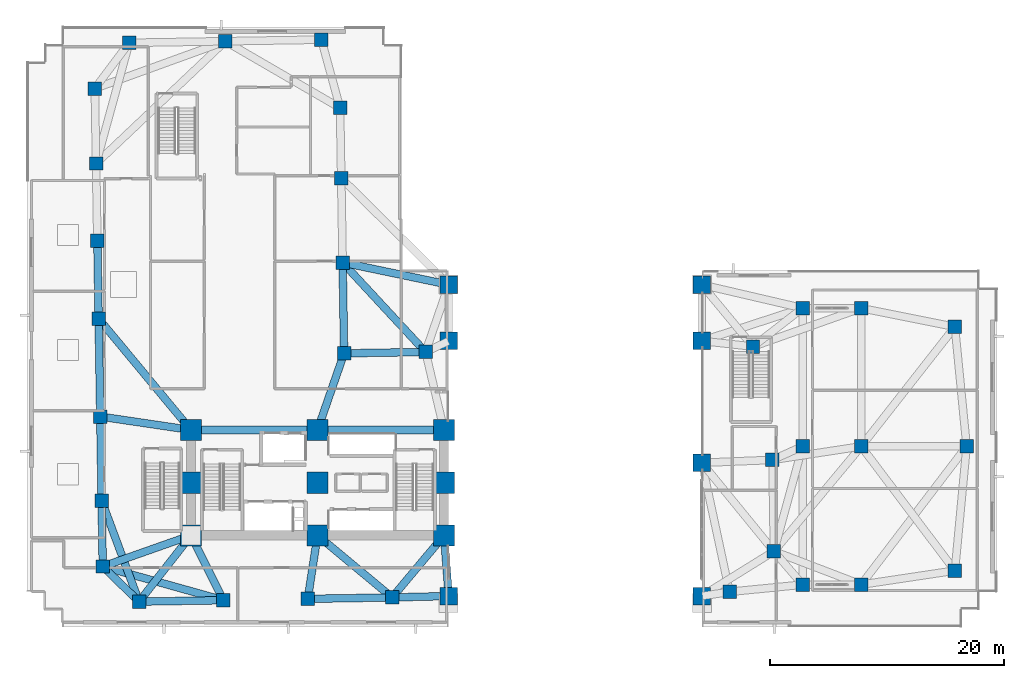
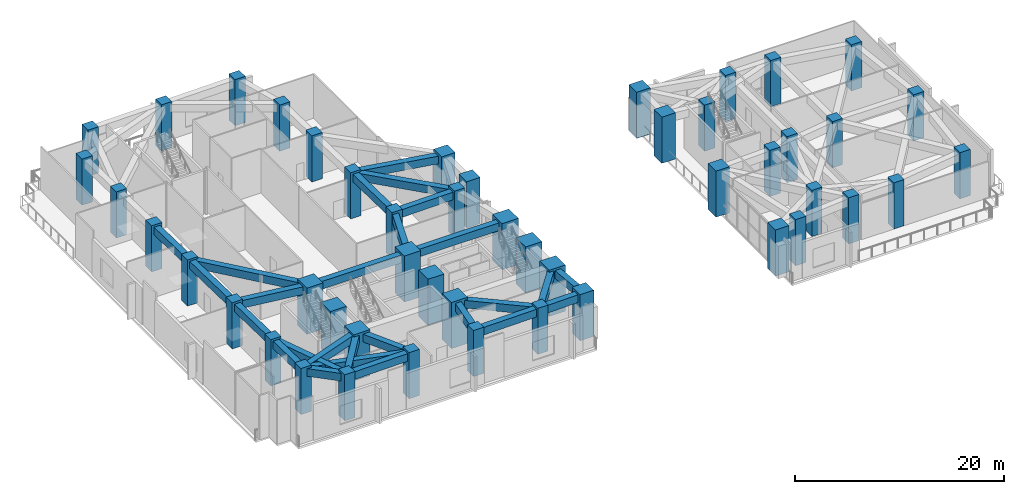
# One storey, part 1 of 18: 48 columns, 26 beams.
"""IFC4 building model written with IfcOpenShell, lengths in metres."""

from ifc_helpers import new_model, si_unit, direction, frame, origin, origin_2d, place, context, subcontext, project, spatial, rectangle, extrude, material, material_profile, profile_set, type_object, element, save


model = new_model("IFC4")

# Units and contexts
model_context = context("Model", 3, precision=1e-05, world=origin(), true_north=direction((0.0, 1.0)))
body_context = subcontext(model_context, "Body", "Model", "MODEL_VIEW")
ifc_project = project(units=[si_unit("LENGTHUNIT", "METRE"), si_unit("AREAUNIT", "SQUARE_METRE"), si_unit("VOLUMEUNIT", "CUBIC_METRE"), si_unit("PLANEANGLEUNIT", "RADIAN"), si_unit("MASSUNIT", "GRAM", prefix="KILO")], contexts=[model_context])

# Site, building, storey
site_placement = place(None, origin())
site = spatial("IfcSite", under=ifc_project, at=site_placement, CompositionType="ELEMENT")
building_placement = place(site_placement, origin())
building = spatial("IfcBuilding", under=site, at=building_placement, Name="Gaonmaruhae Medical Tower", CompositionType="ELEMENT")
storey_placement = place(building_placement, frame((0.0, 0.0, 10.800048828125)))
storey = spatial("IfcBuildingStorey", under=building, at=storey_placement, Name="L02", CompositionType="ELEMENT", Elevation=10.800048828125)

# Columns
ifc_material_1 = material(Name="Concrete C60/75", Category="concrete")
ifc_material_profile_1 = material_profile(ifc_material_1, rectangle(XDim=1.800048828125, YDim=1.800048828125, at=origin_2d()), Name="RC-1800x1800")
ifc_profile_set_1 = profile_set([ifc_material_profile_1], Name="Concrete C60/75")
column_type_1 = type_object("IfcColumnType", Name="CC-01 Lower Core Mega Column (RC-1800x1800)", PredefinedType="COLUMN", material=ifc_profile_set_1)
for number, where, z_axis, x_axis, name in (
    (1, (14.0, 7.800048828125, 0.0), (0.0, 0.0, 1.0), (1.0, 0.0, 0.0), "L02 Plumb Core Column CC11"),
    (2, (14.0, 12.300048828125, 0.0), (0.0, 0.0, 1.0), (1.0, 0.0, 0.0), "L02 Plumb Core Column CC12"),
    (3, (14.0, 16.800048828125, 0.0), (0.0, 0.0, 1.0), (1.0, 0.0, 0.0), "L02 Plumb Core Column CC13"),
    (4, (24.800048828125, 7.800048828125, 0.0), (0.0, 0.0, 1.0), (1.0, 0.0, 0.0), "L02 Plumb Core Column CC21"),
    (5, (24.800048828125, 12.300048828125, 0.0), (0.0, 0.0, 1.0), (1.0, 0.0, 0.0), "L02 Plumb Core Column CC22"),
    (6, (24.800048828125, 16.800048828125, 0.0), (0.0, 0.0, 1.0), (1.0, 0.0, 0.0), "L02 Plumb Core Column CC23"),
    (7, (35.60009765625, 7.800048828125, 0.0), (0.0, 0.0, 1.0), (1.0, 0.0, 0.0), "L02 Plumb Core Column CC31"),
    (8, (35.60009765625, 12.300048828125, 0.0), (0.0, 0.0, 1.0), (1.0, 0.0, 0.0), "L02 Plumb Core Column CC32"),
    (9, (35.60009765625, 16.800048828125, 0.0), (0.0, 0.0, 1.0), (1.0, 0.0, 0.0), "L02 Plumb Core Column CC33"),
):
    element("IfcColumn", number, at=place(storey_placement, frame(where, z_axis=z_axis, x_axis=x_axis)), inside=storey, type_object=column_type_1, Name=name, PredefinedType="COLUMN", context=body_context, shape_type="SweptSolid", body=[
        extrude(rectangle(XDim=1.800048828125, YDim=1.800048828125, at=origin_2d()), origin(), (0.0, 0.0, 1.0), 5.39990234375),
    ])
ifc_material_profile_2 = material_profile(ifc_material_1, rectangle(XDim=1.5, YDim=1.5, at=origin_2d()), Name="RC-1500x1500")
ifc_profile_set_2 = profile_set([ifc_material_profile_2], Name="Concrete C60/75")
column_type_2 = type_object("IfcColumnType", Name="PC-C1 Portal Arch Exterior Spring Pier (RC-1500x1500)", PredefinedType="PILASTER", material=ifc_profile_set_2)
for number, where, z_axis, x_axis, name in (
    (10, (36.0, 29.199951171875, 0.0), (0.0, 0.0, 1.0), (1.0, 0.0, 0.0), "L02 Podium Column AP-W4"),
    (11, (57.60009765625, 29.199951171875, 0.0), (0.0, 0.0, 1.0), (1.0, 0.0, 0.0), "L02 Podium Column AP-E4"),
):
    element("IfcColumn", number, at=place(storey_placement, frame(where, z_axis=z_axis, x_axis=x_axis)), inside=storey, type_object=column_type_2, Name=name, PredefinedType="PILASTER", context=body_context, shape_type="SweptSolid", body=[
        extrude(rectangle(XDim=1.5, YDim=1.5, at=origin_2d()), origin(), (0.0, 0.0, 1.0), 5.39990234375),
    ])
ifc_material_profile_3 = material_profile(ifc_material_1, rectangle(XDim=1.5, YDim=1.5, at=origin_2d()), Name="RC-1500x1500")
ifc_profile_set_3 = profile_set([ifc_material_profile_3], Name="Concrete C60/75")
column_type_3 = type_object("IfcColumnType", Name="PC-C1I Portal Arch Interior Spring Pier (RC-1500x1500)", PredefinedType="PILASTER", material=ifc_profile_set_3)
for number, where, z_axis, x_axis, name in (
    (12, (36.0, 2.6259765625, 0.0), (0.0, 0.0, 1.0), (1.0, 0.0, 0.0), "L02 Podium Column AP-W1"),
    (13, (57.60009765625, 2.6259765625, 0.0), (0.0, 0.0, 1.0), (1.0, 0.0, 0.0), "L02 Podium Column AP-E1"),
    (14, (57.60009765625, 14.0, 0.0), (0.0, 0.0, 1.0), (1.0, 0.0, 0.0), "L02 Podium Column AP-E2"),
    (15, (36.0, 24.39990234375, 0.0), (0.0, 0.0, 1.0), (1.0, 0.0, 0.0), "L02 Podium Column AP-W3"),
    (16, (57.60009765625, 24.39990234375, 0.0), (0.0, 0.0, 1.0), (1.0, 0.0, 0.0), "L02 Podium Column AP-E3"),
):
    element("IfcColumn", number, at=place(storey_placement, frame(where, z_axis=z_axis, x_axis=x_axis)), inside=storey, type_object=column_type_3, Name=name, PredefinedType="PILASTER", context=body_context, shape_type="SweptSolid", body=[
        extrude(rectangle(XDim=1.5, YDim=1.5, at=origin_2d()), origin(), (0.0, 0.0, 1.0), 5.39990234375),
    ])
ifc_material_2 = material(Name="Concrete C50/60", Category="concrete")
ifc_material_profile_4 = material_profile(ifc_material_2, rectangle(XDim=1.14990234375, YDim=1.14990234375, at=origin_2d()), Name="RC-1150x1150")
ifc_profile_set_4 = profile_set([ifc_material_profile_4], Name="Concrete C50/60")
column_type_4 = type_object("IfcColumnType", Name="PC-C2 Podium Perimeter Column (RC-1150x1150)", PredefinedType="COLUMN", material=ifc_profile_set_4)
for number, where, z_axis, x_axis, name in (
    (17, (9.572265625, 2.1484375, 0.0), (0.0, 0.0, 1.0), (1.0, 0.0, 0.0), "L02 Podium Column PL5-S01"),
    (18, (25.129150390625, 50.113037109375, 0.0), (0.0, 0.0, 1.0), (1.0, 0.0, 0.0), "L02 Podium Column PL5-N01"),
    (19, (16.930419921875, 49.97705078125, 0.0), (0.0, 0.0, 1.0), (1.0, 0.0, 0.0), "L02 Podium Column PL5-N02"),
    (20, (8.7314453125, 49.841064453125, 0.0), (0.0, 0.0, 1.0), (1.0, 0.0, 0.0), "L02 Podium Column PL5-N03"),
    (21, (66.199951171875, 3.60009765625, 0.0), (0.0, 0.0, 1.0), (1.0, 0.0, 0.0), "L02 Podium Column PE-01"),
    (22, (66.199951171875, 27.199951171875, 0.0), (0.0, 0.0, 1.0), (1.0, 0.0, 0.0), "L02 Podium Column PE-05"),
    (23, (79.199951171875, 4.800048828125, 0.0), (0.0, 0.0, 1.0), (1.0, 0.0, 0.0), "L02 Podium Column PE-07"),
    (24, (80.199951171875, 15.39990234375, 0.0), (0.0, 0.0, 1.0), (1.0, 0.0, 0.0), "L02 Podium Column PE-08"),
    (25, (79.199951171875, 25.60009765625, 0.0), (0.0, 0.0, 1.0), (1.0, 0.0, 0.0), "L02 Podium Column PE-09"),
):
    element("IfcColumn", number, at=place(storey_placement, frame(where, z_axis=z_axis, x_axis=x_axis)), inside=storey, type_object=column_type_4, Name=name, PredefinedType="COLUMN", context=body_context, shape_type="SweptSolid", body=[
        extrude(rectangle(XDim=1.14990234375, YDim=1.14990234375, at=origin_2d()), origin(), (0.0, 0.0, 1.0), 5.39990234375),
    ])
ifc_material_profile_5 = material_profile(ifc_material_2, rectangle(XDim=1.14990234375, YDim=1.14990234375, at=origin_2d()), Name="RC-1150x1150")
ifc_profile_set_5 = profile_set([ifc_material_profile_5], Name="Concrete C50/60")
column_type_5 = type_object("IfcColumnType", Name="PC-C2I Podium Interior Column (RC-1150x1150)", PredefinedType="COLUMN", material=ifc_profile_set_5)
for number, where, z_axis, x_axis, name in (
    (26, (16.771240234375, 2.267822265625, 0.0), (0.0, 0.0, 1.0), (1.0, 0.0, 0.0), "L02 Podium Column PL5-S02"),
    (27, (23.97021484375, 2.38720703125, 0.0), (0.0, 0.0, 1.0), (1.0, 0.0, 0.0), "L02 Podium Column PL5-S03"),
    (28, (31.169189453125, 2.506591796875, 0.0), (0.0, 0.0, 1.0), (1.0, 0.0, 0.0), "L02 Podium Column PL5-S04"),
    (29, (59.96533203125, 2.984130859375, 0.0), (0.0, 0.0, 1.0), (1.0, 0.0, 0.0), "L02 Podium Column PL5-S08"),
    (30, (63.75830078125, 6.447509765625, 0.0), (0.0, 0.0, 1.0), (1.0, 0.0, 0.0), "L02 Podium Column PL5-E01"),
    (31, (63.629150390625, 14.246337890625, 0.0), (0.0, 0.0, 1.0), (1.0, 0.0, 0.0), "L02 Podium Column PL5-E02"),
    (32, (61.968505859375, 23.920166015625, 0.0), (0.0, 0.0, 1.0), (1.0, 0.0, 0.0), "L02 Podium Column PL5-E03"),
    (33, (34.022216796875, 23.456787109375, 0.0), (0.0, 0.0, 1.0), (1.0, 0.0, 0.0), "L02 Podium Column PL5-EN04"),
    (34, (27.0732421875, 23.341552734375, 0.0), (0.0, 0.0, 1.0), (1.0, 0.0, 0.0), "L02 Podium Column PL5-KN01"),
    (35, (26.94482421875, 31.090576171875, 0.0), (0.0, 0.0, 1.0), (1.0, 0.0, 0.0), "L02 Podium Column PL5-NE01"),
    (36, (26.825439453125, 38.28955078125, 0.0), (0.0, 0.0, 1.0), (1.0, 0.0, 0.0), "L02 Podium Column PL5-NE02"),
    (37, (26.725830078125, 44.288818359375, 0.0), (0.0, 0.0, 1.0), (1.0, 0.0, 0.0), "L02 Podium Column PL5-NE03"),
    (38, (5.795654296875, 45.94189453125, 0.0), (0.0, 0.0, 1.0), (1.0, 0.0, 0.0), "L02 Podium Column PL5-W01"),
    (39, (5.90185546875, 39.542724609375, 0.0), (0.0, 0.0, 1.0), (1.0, 0.0, 0.0), "L02 Podium Column PL5-W02"),
    (40, (6.01123046875, 32.943603515625, 0.0), (0.0, 0.0, 1.0), (1.0, 0.0, 0.0), "L02 Podium Column PL5-W03"),
    (41, (6.121337890625, 26.294677734375, 0.0), (0.0, 0.0, 1.0), (1.0, 0.0, 0.0), "L02 Podium Column PL5-W04"),
    (42, (6.260009765625, 17.94580078125, 0.0), (0.0, 0.0, 1.0), (1.0, 0.0, 0.0), "L02 Podium Column PL5-W05"),
    (43, (6.37939453125, 10.746826171875, 0.0), (0.0, 0.0, 1.0), (1.0, 0.0, 0.0), "L02 Podium Column PL5-W06"),
    (44, (6.47216796875, 5.1474609375, 0.0), (0.0, 0.0, 1.0), (1.0, 0.0, 0.0), "L02 Podium Column PL5-W07"),
    (45, (71.199951171875, 3.60009765625, 0.0), (0.0, 0.0, 1.0), (1.0, 0.0, 0.0), "L02 Podium Column PE-02"),
    (46, (66.199951171875, 15.39990234375, 0.0), (0.0, 0.0, 1.0), (1.0, 0.0, 0.0), "L02 Podium Column PE-03"),
    (47, (71.199951171875, 15.39990234375, 0.0), (0.0, 0.0, 1.0), (1.0, 0.0, 0.0), "L02 Podium Column PE-04"),
    (48, (71.199951171875, 27.199951171875, 0.0), (0.0, 0.0, 1.0), (1.0, 0.0, 0.0), "L02 Podium Column PE-06"),
):
    element("IfcColumn", number, at=place(storey_placement, frame(where, z_axis=z_axis, x_axis=x_axis)), inside=storey, type_object=column_type_5, Name=name, PredefinedType="COLUMN", context=body_context, shape_type="SweptSolid", body=[
        extrude(rectangle(XDim=1.14990234375, YDim=1.14990234375, at=origin_2d()), origin(), (0.0, 0.0, 1.0), 5.39990234375),
    ])

# Beams
ifc_material_profile_6 = material_profile(ifc_material_2, rectangle(XDim=0.64990234375, YDim=0.89990234375, at=origin_2d()), Name="RCG-650x900")
ifc_profile_set_6 = profile_set([ifc_material_profile_6], Name="Concrete C50/60")
beam_type = type_object("IfcBeamType", Name="RG-01 Podium Primary RC Girder (RCG-650x900)", PredefinedType="BEAM", material=ifc_profile_set_6)
for number, where, z_axis, x_axis, name in (
    (49, (14.050048828125, 16.800048828125, 4.699951171875), (1.0, 0.0, 0.0), (0.0, 1.0, 0.0), "L02 Beam BM-L02-CG-N1"),
    (50, (24.85009765625, 16.800048828125, 4.699951171875), (1.0, 0.0, 0.0), (0.0, 1.0, 0.0), "L02 Beam BM-L02-CG-N2"),
):
    element("IfcBeam", number, at=place(storey_placement, frame(where, z_axis=z_axis, x_axis=x_axis)), inside=storey, type_object=beam_type, Name=name, PredefinedType="BEAM", context=body_context, shape_type="SweptSolid", body=[
        extrude(rectangle(XDim=0.64990234375, YDim=0.89990234375, at=origin_2d()), origin(), (0.0, 0.0, 1.0), 10.699951171875),
    ])
beam_1_placement = place(storey_placement, frame((35.949951171875, 2.624755859375, 4.699951171875), z_axis=(-0.999694600046, -0.024712479405, 0.0), x_axis=(0.024712479405, -0.999694600046, 0.0)))
element("IfcBeam", 51, at=beam_1_placement, inside=storey, type_object=beam_type, Name="L02 Beam BM-L02-PG001", PredefinedType="BEAM", context=body_context, shape_type="SweptSolid", body=[
    extrude(rectangle(XDim=0.64990234375, YDim=0.89990234375, at=origin_2d()), origin(), (0.0, 0.0, 1.0), 4.732177734375),
])
beam_2_placement = place(storey_placement, frame((35.99609375, 2.67578125, 4.699951171875), z_axis=(-0.077085319769, 0.997024499938, 0.0), x_axis=(-0.997024499938, -0.077085319769, 0.0)))
element("IfcBeam", 52, at=beam_2_placement, inside=storey, type_object=beam_type, Name="L02 Beam BM-L02-PG002", PredefinedType="BEAM", context=body_context, shape_type="SweptSolid", body=[
    extrude(rectangle(XDim=0.64990234375, YDim=0.89990234375, at=origin_2d()), origin(), (0.0, 0.0, 1.0), 5.089599609375),
])
beam_3_placement = place(storey_placement, frame((35.951171875, 29.210205078125, 4.699951171875), z_axis=(-0.978893765429, 0.204369753153, 0.0), x_axis=(-0.204369753153, -0.978893765429, 0.0)))
element("IfcBeam", 53, at=beam_3_placement, inside=storey, type_object=beam_type, Name="L02 Beam BM-L02-PG012", PredefinedType="BEAM", context=body_context, shape_type="SweptSolid", body=[
    extrude(rectangle(XDim=0.64990234375, YDim=0.89990234375, at=origin_2d()), origin(), (0.0, 0.0, 1.0), 9.150634765625),
])
beam_4_placement = place(storey_placement, frame((9.536376953125, 2.183349609375, 4.699951171875), z_axis=(-0.71874317397, 0.695275664662, 0.0), x_axis=(-0.695275664662, -0.71874317397, 0.0)))
element("IfcBeam", 54, at=beam_4_placement, inside=storey, type_object=beam_type, Name="L02 Beam BM-L02-PG015", PredefinedType="BEAM", context=body_context, shape_type="SweptSolid", body=[
    extrude(rectangle(XDim=0.64990234375, YDim=0.89990234375, at=origin_2d()), origin(), (0.0, 0.0, 1.0), 4.21337890625),
])
beam_5_placement = place(storey_placement, frame((9.60302734375, 2.187744140625, 4.699951171875), z_axis=(0.616722881004, 0.787180340231, 0.0), x_axis=(-0.787180340231, 0.616722881004, 0.0)))
element("IfcBeam", 55, at=beam_5_placement, inside=storey, type_object=beam_type, Name="L02 Beam BM-L02-PG016", PredefinedType="BEAM", context=body_context, shape_type="SweptSolid", body=[
    extrude(rectangle(XDim=0.64990234375, YDim=0.89990234375, at=origin_2d()), origin(), (0.0, 0.0, 1.0), 7.07958984375),
])
beam_6_placement = place(storey_placement, frame((16.7490234375, 2.3125, 4.699951171875), z_axis=(-0.447887224471, 0.894090059309, 0.0), x_axis=(-0.894090059309, -0.447887224471, 0.0)))
element("IfcBeam", 56, at=beam_6_placement, inside=storey, type_object=beam_type, Name="L02 Beam BM-L02-PG017", PredefinedType="BEAM", context=body_context, shape_type="SweptSolid", body=[
    extrude(rectangle(XDim=0.64990234375, YDim=0.89990234375, at=origin_2d()), origin(), (0.0, 0.0, 1.0), 6.087646484375),
])
beam_7_placement = place(storey_placement, frame((16.72119140625, 2.26708984375, 4.699951171875), z_axis=(-0.99986263522, -0.016574398672, 0.0), x_axis=(0.016574398672, -0.99986263522, 0.0)))
element("IfcBeam", 57, at=beam_7_placement, inside=storey, type_object=beam_type, Name="L02 Beam BM-L02-PG018", PredefinedType="BEAM", context=body_context, shape_type="SweptSolid", body=[
    extrude(rectangle(XDim=0.64990234375, YDim=0.89990234375, at=origin_2d()), origin(), (0.0, 0.0, 1.0), 7.099853515625),
])
beam_8_placement = place(storey_placement, frame((23.977783203125, 2.436767578125, 4.699951171875), z_axis=(0.15154867759, 0.988449795549, 0.0), x_axis=(-0.988449795549, 0.15154867759, 0.0)))
element("IfcBeam", 58, at=beam_8_placement, inside=storey, type_object=beam_type, Name="L02 Beam BM-L02-PG019", PredefinedType="BEAM", context=body_context, shape_type="SweptSolid", body=[
    extrude(rectangle(XDim=0.64990234375, YDim=0.89990234375, at=origin_2d()), origin(), (0.0, 0.0, 1.0), 5.375732421875),
])
beam_9_placement = place(storey_placement, frame((24.020263671875, 2.38818359375, 4.699951171875), z_axis=(0.999862644666, 0.01657382883, 0.0), x_axis=(-0.01657382883, 0.999862644666, 0.0)))
element("IfcBeam", 59, at=beam_9_placement, inside=storey, type_object=beam_type, Name="L02 Beam BM-L02-PG020", PredefinedType="BEAM", context=body_context, shape_type="SweptSolid", body=[
    extrude(rectangle(XDim=0.64990234375, YDim=0.89990234375, at=origin_2d()), origin(), (0.0, 0.0, 1.0), 7.10009765625),
])
beam_10_placement = place(storey_placement, frame((31.201416015625, 2.544921875, 4.699951171875), z_axis=(0.641841952808, 0.766836949824, 0.0), x_axis=(-0.766836949824, 0.641841952808, 0.0)))
element("IfcBeam", 60, at=beam_10_placement, inside=storey, type_object=beam_type, Name="L02 Beam BM-L02-PG021", PredefinedType="BEAM", context=body_context, shape_type="SweptSolid", body=[
    extrude(rectangle(XDim=0.64990234375, YDim=0.89990234375, at=origin_2d()), origin(), (0.0, 0.0, 1.0), 6.802978515625),
])
beam_11_placement = place(storey_placement, frame((31.130859375, 2.53857421875, 4.699951171875), z_axis=(-0.769076636627, 0.639156574709, 0.0), x_axis=(-0.639156574709, -0.769076636627, 0.0)))
element("IfcBeam", 61, at=beam_11_placement, inside=storey, type_object=beam_type, Name="L02 Beam BM-L02-PG022", PredefinedType="BEAM", context=body_context, shape_type="SweptSolid", body=[
    extrude(rectangle(XDim=0.64990234375, YDim=0.89990234375, at=origin_2d()), origin(), (0.0, 0.0, 1.0), 8.181884765625),
])
beam_12_placement = place(storey_placement, frame((33.972412109375, 23.4560546875, 4.699951171875), z_axis=(-0.999862660061, -0.016572900012, 0.0), x_axis=(0.016572900012, -0.999862660061, 0.0)))
element("IfcBeam", 62, at=beam_12_placement, inside=storey, type_object=beam_type, Name="L02 Beam BM-L02-PG032", PredefinedType="BEAM", context=body_context, shape_type="SweptSolid", body=[
    extrude(rectangle(XDim=0.64990234375, YDim=0.89990234375, at=origin_2d()), origin(), (0.0, 0.0, 1.0), 6.85009765625),
])
beam_13_placement = place(storey_placement, frame((27.056884765625, 23.29443359375, 4.699951171875), z_axis=(-0.328252856343, -0.944589891065, 0.0), x_axis=(0.944589891065, -0.328252856343, 0.0)))
element("IfcBeam", 63, at=beam_13_placement, inside=storey, type_object=beam_type, Name="L02 Beam BM-L02-PG033", PredefinedType="BEAM", context=body_context, shape_type="SweptSolid", body=[
    extrude(rectangle(XDim=0.64990234375, YDim=0.89990234375, at=origin_2d()), origin(), (0.0, 0.0, 1.0), 6.825439453125),
])
beam_14_placement = place(storey_placement, frame((27.072509765625, 23.3916015625, 4.699951171875), z_axis=(-0.016595224727, 0.999862289776, 0.0), x_axis=(-0.999862289776, -0.016595224727, 0.0)))
element("IfcBeam", 64, at=beam_14_placement, inside=storey, type_object=beam_type, Name="L02 Beam BM-L02-PG034", PredefinedType="BEAM", context=body_context, shape_type="SweptSolid", body=[
    extrude(rectangle(XDim=0.64990234375, YDim=0.89990234375, at=origin_2d()), origin(), (0.0, 0.0, 1.0), 7.64990234375),
])
beam_15_placement = place(storey_placement, frame((26.978759765625, 31.053955078125, 4.699951171875), z_axis=(0.679878677461, -0.733324610206, 0.0), x_axis=(0.733324610206, 0.679878677461, 0.0)))
element("IfcBeam", 65, at=beam_15_placement, inside=storey, type_object=beam_type, Name="L02 Beam BM-L02-PG036", PredefinedType="BEAM", context=body_context, shape_type="SweptSolid", body=[
    extrude(rectangle(XDim=0.64990234375, YDim=0.89990234375, at=origin_2d()), origin(), (0.0, 0.0, 1.0), 10.31005859375),
])
beam_16_placement = place(storey_placement, frame((6.011962890625, 32.893798828125, 4.699951171875), z_axis=(0.016586102524, -0.99986244114, 0.0), x_axis=(0.99986244114, 0.016586102524, 0.0)))
element("IfcBeam", 66, at=beam_16_placement, inside=storey, type_object=beam_type, Name="L02 Beam BM-L02-PG049", PredefinedType="BEAM", context=body_context, shape_type="SweptSolid", body=[
    extrude(rectangle(XDim=0.64990234375, YDim=0.89990234375, at=origin_2d()), origin(), (0.0, 0.0, 1.0), 6.55029296875),
])
beam_17_placement = place(storey_placement, frame((6.122314453125, 26.24462890625, 4.699951171875), z_axis=(0.016572145992, -0.999862672559, 0.0), x_axis=(0.999862672559, 0.016572145992, 0.0)))
element("IfcBeam", 67, at=beam_17_placement, inside=storey, type_object=beam_type, Name="L02 Beam BM-L02-PG050", PredefinedType="BEAM", context=body_context, shape_type="SweptSolid", body=[
    extrude(rectangle(XDim=0.64990234375, YDim=0.89990234375, at=origin_2d()), origin(), (0.0, 0.0, 1.0), 8.25),
])
beam_18_placement = place(storey_placement, frame((6.1533203125, 26.256103515625, 4.699951171875), z_axis=(0.638571966842, -0.76956211131, 0.0), x_axis=(0.76956211131, 0.638571966842, 0.0)))
element("IfcBeam", 68, at=beam_18_placement, inside=storey, type_object=beam_type, Name="L02 Beam BM-L02-PG051", PredefinedType="BEAM", context=body_context, shape_type="SweptSolid", body=[
    extrude(rectangle(XDim=0.64990234375, YDim=0.89990234375, at=origin_2d()), origin(), (0.0, 0.0, 1.0), 12.23779296875),
])
beam_19_placement = place(storey_placement, frame((6.2607421875, 17.895751953125, 4.699951171875), z_axis=(0.016574398672, -0.99986263522, 0.0), x_axis=(0.99986263522, 0.016574398672, 0.0)))
element("IfcBeam", 69, at=beam_19_placement, inside=storey, type_object=beam_type, Name="L02 Beam BM-L02-PG052", PredefinedType="BEAM", context=body_context, shape_type="SweptSolid", body=[
    extrude(rectangle(XDim=0.64990234375, YDim=0.89990234375, at=origin_2d()), origin(), (0.0, 0.0, 1.0), 7.099853515625),
])
beam_20_placement = place(storey_placement, frame((6.309326171875, 17.9384765625, 4.699951171875), z_axis=(0.989220595227, -0.146432967528, 0.0), x_axis=(0.146432967528, 0.989220595227, 0.0)))
element("IfcBeam", 70, at=beam_20_placement, inside=storey, type_object=beam_type, Name="L02 Beam BM-L02-PG053", PredefinedType="BEAM", context=body_context, shape_type="SweptSolid", body=[
    extrude(rectangle(XDim=0.64990234375, YDim=0.89990234375, at=origin_2d()), origin(), (0.0, 0.0, 1.0), 7.724365234375),
])
beam_21_placement = place(storey_placement, frame((6.380126953125, 10.69677734375, 4.699951171875), z_axis=(0.016557108537, -0.999862921683, 0.0), x_axis=(0.999862921683, 0.016557108537, 0.0)))
element("IfcBeam", 71, at=beam_21_placement, inside=storey, type_object=beam_type, Name="L02 Beam BM-L02-PG054", PredefinedType="BEAM", context=body_context, shape_type="SweptSolid", body=[
    extrude(rectangle(XDim=0.64990234375, YDim=0.89990234375, at=origin_2d()), origin(), (0.0, 0.0, 1.0), 5.5),
])
beam_22_placement = place(storey_placement, frame((6.396728515625, 10.699951171875, 4.699951171875), z_axis=(0.348122339765, -0.937449111449, 0.0), x_axis=(0.937449111449, 0.348122339765, 0.0)))
element("IfcBeam", 72, at=beam_22_placement, inside=storey, type_object=beam_type, Name="L02 Beam BM-L02-PG055", PredefinedType="BEAM", context=body_context, shape_type="SweptSolid", body=[
    extrude(rectangle(XDim=0.64990234375, YDim=0.89990234375, at=origin_2d()), origin(), (0.0, 0.0, 1.0), 9.072021484375),
])
beam_23_placement = place(storey_placement, frame((6.519287109375, 5.1640625, 4.699951171875), z_axis=(0.943158912801, 0.332342090628, 0.0), x_axis=(-0.332342090628, 0.943158912801, 0.0)))
element("IfcBeam", 73, at=beam_23_placement, inside=storey, type_object=beam_type, Name="L02 Beam BM-L02-PG056", PredefinedType="BEAM", context=body_context, shape_type="SweptSolid", body=[
    extrude(rectangle(XDim=0.64990234375, YDim=0.89990234375, at=origin_2d()), origin(), (0.0, 0.0, 1.0), 7.881591796875),
])
beam_24_placement = place(storey_placement, frame((6.520263671875, 5.134033203125, 4.699951171875), z_axis=(0.963062562171, -0.269277740159, 0.0), x_axis=(0.269277740159, 0.963062562171, 0.0)))
element("IfcBeam", 74, at=beam_24_placement, inside=storey, type_object=beam_type, Name="L02 Beam BM-L02-PG057", PredefinedType="BEAM", context=body_context, shape_type="SweptSolid", body=[
    extrude(rectangle(XDim=0.64990234375, YDim=0.89990234375, at=origin_2d()), origin(), (0.0, 0.0, 1.0), 10.59423828125),
])

save(model, "model.ifc")
